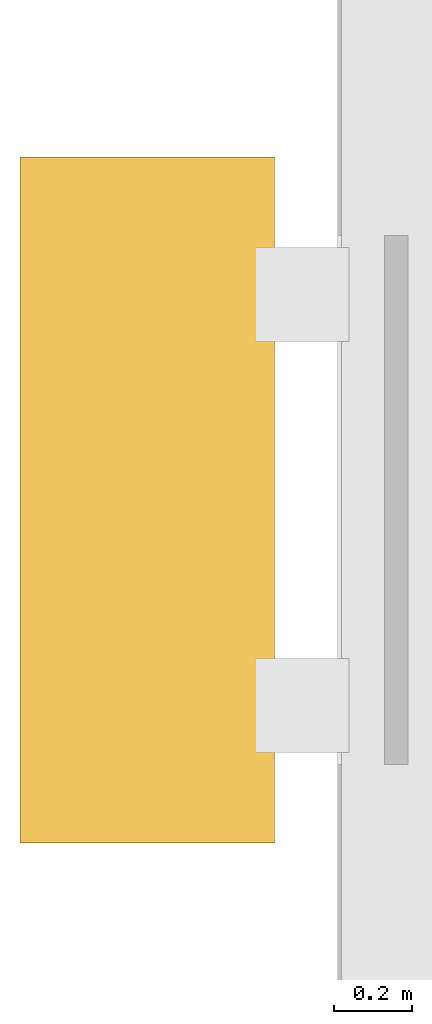
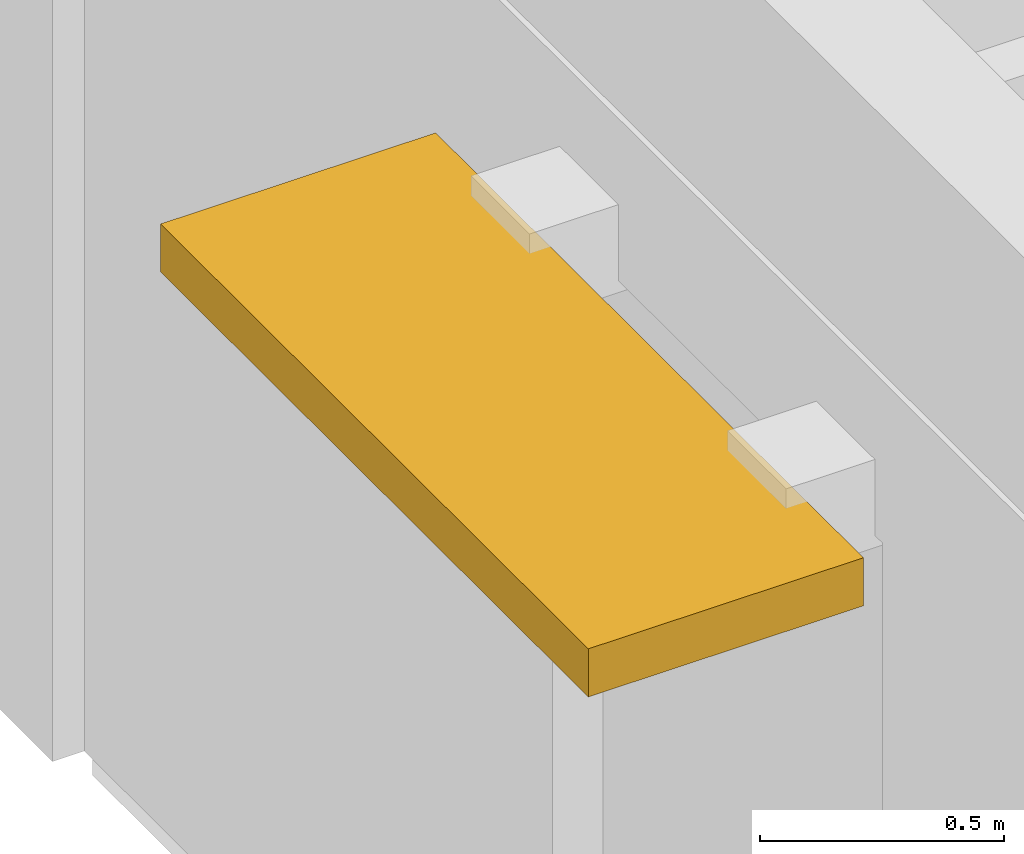
# One storey, part 22 of 22: 1 shading device.
"""IFC4 building model written with IfcOpenShell, lengths in metres."""

from ifc_helpers import new_model, si_unit, direction, frame, origin, origin_2d, place, context, subcontext, project, spatial, rectangle, extrude, material, type_object, element, save


model = new_model("IFC4")

# Units and contexts
model_context = context("Model", 3, precision=1e-05, world=origin(), true_north=direction((0.0, 1.0)))
body_context = subcontext(model_context, "Body", "Model", "MODEL_VIEW")
ifc_project = project(units=[si_unit("LENGTHUNIT", "METRE"), si_unit("AREAUNIT", "SQUARE_METRE"), si_unit("VOLUMEUNIT", "CUBIC_METRE"), si_unit("PLANEANGLEUNIT", "RADIAN"), si_unit("MASSUNIT", "GRAM", prefix="KILO")], contexts=[model_context])

# Site, building, storey
site_placement = place(None, origin())
site = spatial("IfcSite", under=ifc_project, at=site_placement, CompositionType="ELEMENT")
building_placement = place(site_placement, origin())
building = spatial("IfcBuilding", under=site, at=building_placement, Name="Veldera Park Congress Hotel", CompositionType="ELEMENT")
storey_placement = place(building_placement, frame((0.0, 0.0, 23.800048828125)))
storey = spatial("IfcBuildingStorey", under=building, at=storey_placement, Name="L05", CompositionType="ELEMENT", Elevation=23.800048828125)

# Shading device
ifc_material = material(Name="Glulam GL28h (NDS 24F-V4)", Category="wood")
shading_device_type = type_object("IfcShadingDeviceType", Name="SHD-LVR300", PredefinedType="JALOUSIE", material=ifc_material)
shading_device_placement = place(storey_placement, frame((40.965087890625, 55.184814453125, 2.519775390625), z_axis=(0.0, 0.0, 1.0), x_axis=(0.0, -1.0, 0.0)))
element("IfcShadingDevice", 1, at=shading_device_placement, inside=storey, type_object=shading_device_type, Name="Glulam Solar Shade 162", PredefinedType="JALOUSIE", context=body_context, shape_type="SweptSolid", body=[
    extrude(rectangle(XDim=1.75, YDim=0.64990234375, at=origin_2d()), origin(), (0.0, 0.0, 1.0), 0.1201171875),
])

save(model, "model.ifc")
